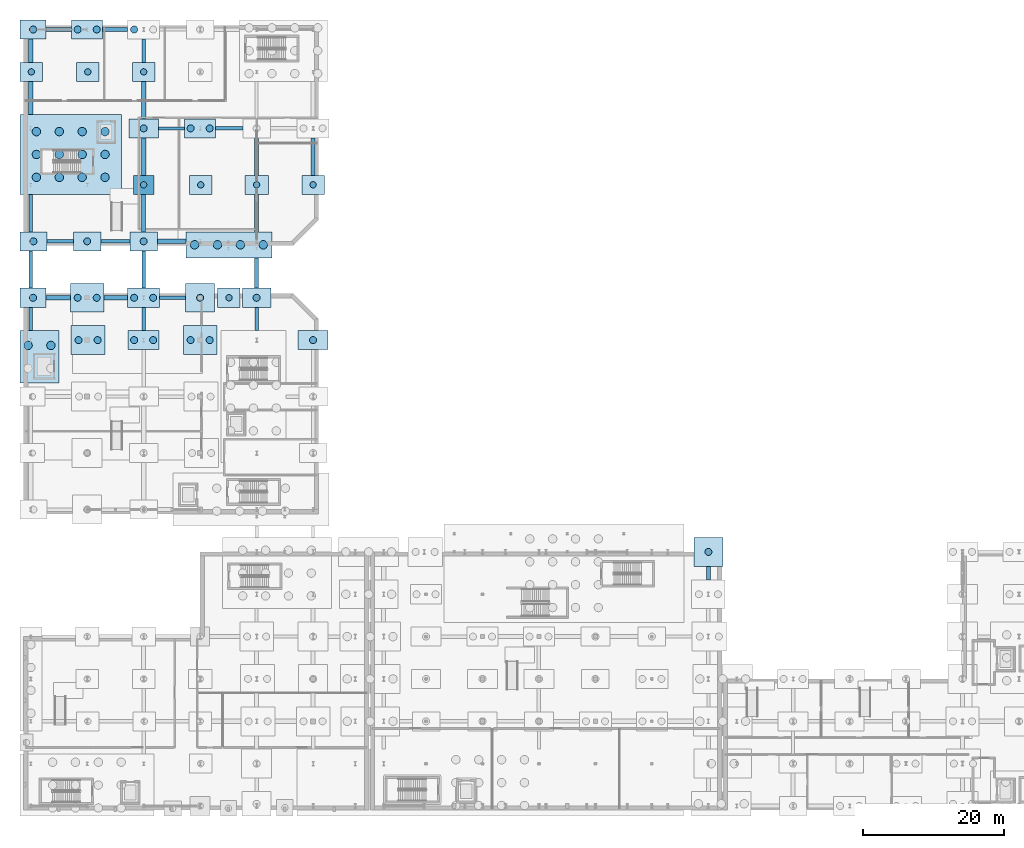
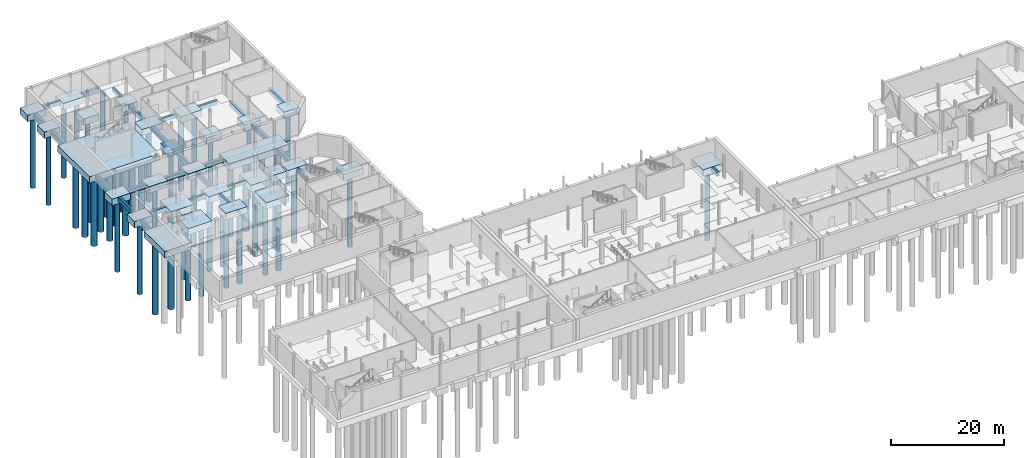
# One storey, part 4 of 47: 55 footings, 51 piles.
"""IFC4 building model written with IfcOpenShell, lengths in metres."""

from ifc_helpers import new_model, si_unit, direction, frame, origin, origin_2d, place, context, subcontext, project, spatial, rectangle, circle, extrude, material, layer, layer_set, material_profile, profile_set, type_object, element, save


model = new_model("IFC4")

# Units and contexts
model_context = context("Model", 3, precision=1e-05, world=origin(), true_north=direction((0.0, 1.0)))
body_context = subcontext(model_context, "Body", "Model", "MODEL_VIEW")
ifc_project = project(units=[si_unit("LENGTHUNIT", "METRE"), si_unit("AREAUNIT", "SQUARE_METRE"), si_unit("VOLUMEUNIT", "CUBIC_METRE"), si_unit("PLANEANGLEUNIT", "RADIAN"), si_unit("MASSUNIT", "GRAM", prefix="KILO")], contexts=[model_context])

# Site, building, storey
site_placement = place(None, origin())
site = spatial("IfcSite", under=ifc_project, at=site_placement, CompositionType="ELEMENT")
building_placement = place(site_placement, origin())
building = spatial("IfcBuilding", under=site, at=building_placement, Name="Cymarion Research Institute", CompositionType="ELEMENT")
storey_placement = place(building_placement, frame((0.0, 0.0, -5.0)))
storey = spatial("IfcBuildingStorey", under=building, at=storey_placement, Name="B1", CompositionType="ELEMENT", Elevation=-5.0)

# Piles
ifc_material = material(Name="Concrete C35/45", Category="concrete")
ifc_material_profile_1 = material_profile(ifc_material, circle(Radius=0.449951171875, at=origin_2d()), Name="BORED PILE D900")
ifc_profile_set_1 = profile_set([ifc_material_profile_1], Name="Concrete C35/45")
pile_type_1 = type_object("IfcPileType", Name="BORED CONCRETE PILE P1 D900", PredefinedType="BORED", material=ifc_profile_set_1)
for number, where, z_axis, x_axis, name in (
    (1, (6.68505859375, 109.5, -1.300048828125), (0.0, 0.0, -1.0), (1.0, 0.0, 0.0), "Bored pile P1 #6"),
    (2, (14.68505859375, 109.5, -1.300048828125), (0.0, 0.0, -1.0), (1.0, 0.0, 0.0), "Bored pile P1 #51"),
    (3, (22.60009765625, 93.5, -1.300048828125), (0.0, 0.0, -1.0), (1.0, 0.0, 0.0), "Bored pile P1 #66"),
    (4, (22.60009765625, 109.5, -1.300048828125), (0.0, 0.0, -1.0), (1.0, 0.0, 0.0), "Bored pile P1 #68"),
    (5, (30.68505859375, 93.5, -1.300048828125), (0.0, 0.0, -1.0), (1.0, 0.0, 0.0), "Bored pile P1 #85"),
    (6, (34.68505859375, 77.5, -1.300048828125), (0.0, 0.0, -1.0), (1.0, 0.0, 0.0), "Bored pile P1 #95"),
    (7, (38.60009765625, 93.5, -1.300048828125), (0.0, 0.0, -1.0), (1.0, 0.0, 0.0), "Bored pile P1 #121"),
    (8, (46.60009765625, 93.5, -1.300048828125), (0.0, 0.0, -1.0), (1.0, 0.0, 0.0), "Bored pile P1 #159"),
):
    element("IfcPile", number, at=place(storey_placement, frame(where, z_axis=z_axis, x_axis=x_axis)), inside=storey, type_object=pile_type_1, Name=name, PredefinedType="BORED", context=body_context, shape_type="SweptSolid", body=[
        extrude(circle(Radius=0.449951171875, at=origin_2d()), origin(), (0.0, 0.0, 1.0), 15.699951171875),
    ])
ifc_material_profile_2 = material_profile(ifc_material, circle(Radius=0.5, at=origin_2d()), Name="BORED PILE D1000")
ifc_profile_set_2 = profile_set([ifc_material_profile_2], Name="Concrete C35/45")
pile_type_2 = type_object("IfcPileType", Name="BORED CONCRETE PILE P2 D1000", PredefinedType="BORED", material=ifc_profile_set_2)
for number, where, z_axis, x_axis, name in (
    (9, (6.93505859375, 77.5, -1.300048828125), (0.0, 0.0, -1.0), (1.0, 0.0, 0.0), "Bored pile P2 #9"),
    (10, (6.93505859375, 115.5, -1.300048828125), (0.0, 0.0, -1.0), (1.0, 0.0, 0.0), "Bored pile P2 #10"),
    (11, (6.97509765625, 85.5, -1.300048828125), (0.0, 0.0, -1.0), (1.0, 0.0, 0.0), "Bored pile P2 #12"),
    (12, (13.25, 77.5, -1.300048828125), (0.0, 0.0, -1.0), (1.0, 0.0, 0.0), "Bored pile P2 #45"),
    (13, (15.949951171875, 77.5, -1.300048828125), (0.0, 0.0, -1.0), (1.0, 0.0, 0.0), "Bored pile P2 #46"),
    (14, (14.60009765625, 85.5, -1.300048828125), (0.0, 0.0, -1.0), (1.0, 0.0, 0.0), "Bored pile P2 #47"),
    (15, (13.25, 115.5, -1.300048828125), (0.0, 0.0, -1.0), (1.0, 0.0, 0.0), "Bored pile P2 #48"),
    (16, (15.949951171875, 115.5, -1.300048828125), (0.0, 0.0, -1.0), (1.0, 0.0, 0.0), "Bored pile P2 #49"),
    (17, (13.3798828125, 71.5, -1.300048828125), (0.0, 0.0, -1.0), (1.0, 0.0, 0.0), "Bored pile P2 #52"),
    (18, (16.080078125, 71.5, -1.300048828125), (0.0, 0.0, -1.0), (1.0, 0.0, 0.0), "Bored pile P2 #53"),
    (19, (21.25, 71.5, -1.300048828125), (0.0, 0.0, -1.0), (1.0, 0.0, 0.0), "Bored pile P2 #61"),
    (20, (23.949951171875, 71.5, -1.300048828125), (0.0, 0.0, -1.0), (1.0, 0.0, 0.0), "Bored pile P2 #62"),
    (21, (21.25, 77.5, -1.300048828125), (0.0, 0.0, -1.0), (1.0, 0.0, 0.0), "Bored pile P2 #63"),
    (22, (23.949951171875, 77.5, -1.300048828125), (0.0, 0.0, -1.0), (1.0, 0.0, 0.0), "Bored pile P2 #64"),
    (23, (22.60009765625, 85.5, -1.300048828125), (0.0, 0.0, -1.0), (1.0, 0.0, 0.0), "Bored pile P2 #65"),
    (24, (22.60009765625, 101.5, -1.300048828125), (0.0, 0.0, -1.0), (1.0, 0.0, 0.0), "Bored pile P2 #67"),
    (25, (21.25, 115.5, -1.300048828125), (0.0, 0.0, -1.0), (1.0, 0.0, 0.0), "Bored pile P2 #69"),
    (26, (29.25, 71.5, -1.300048828125), (0.0, 0.0, -1.0), (1.0, 0.0, 0.0), "Bored pile P2 #77"),
    (27, (31.949951171875, 71.5, -1.300048828125), (0.0, 0.0, -1.0), (1.0, 0.0, 0.0), "Bored pile P2 #78"),
    (28, (30.60009765625, 77.5, -1.300048828125), (0.0, 0.0, -1.0), (1.0, 0.0, 0.0), "Bored pile P2 #79"),
    (29, (29.25, 101.5, -1.300048828125), (0.0, 0.0, -1.0), (1.0, 0.0, 0.0), "Bored pile P2 #80"),
    (30, (31.949951171875, 101.5, -1.300048828125), (0.0, 0.0, -1.0), (1.0, 0.0, 0.0), "Bored pile P2 #81"),
    (31, (38.60009765625, 77.5, -1.300048828125), (0.0, 0.0, -1.0), (1.0, 0.0, 0.0), "Bored pile P2 #120"),
    (32, (46.60009765625, 71.5, -1.300048828125), (0.0, 0.0, -1.0), (1.0, 0.0, 0.0), "Bored pile P2 #158"),
    (33, (102.60009765625, 41.5, -1.300048828125), (0.0, 0.0, -1.0), (1.0, 0.0, 0.0), "Bored pile P2 #231"),
):
    element("IfcPile", number, at=place(storey_placement, frame(where, z_axis=z_axis, x_axis=x_axis)), inside=storey, type_object=pile_type_2, Name=name, PredefinedType="BORED", context=body_context, shape_type="SweptSolid", body=[
        extrude(circle(Radius=0.5, at=origin_2d()), origin(), (0.0, 0.0, 1.0), 15.699951171875),
    ])
ifc_material_profile_3 = material_profile(ifc_material, circle(Radius=0.60009765625, at=origin_2d()), Name="BORED PILE D1200")
ifc_profile_set_3 = profile_set([ifc_material_profile_3], Name="Concrete C35/45")
pile_type_3 = type_object("IfcPileType", Name="BORED CONCRETE PILE P3 D1200", PredefinedType="BORED", material=ifc_profile_set_3)
for number, where, z_axis, x_axis, name in (
    (34, (6.219970703125, 70.7451171875, -1.300048828125), (0.0, 0.0, -1.0), (1.0, 0.0, 0.0), "Bored pile P3 #14"),
    (35, (9.4599609375, 70.7451171875, -1.300048828125), (0.0, 0.0, -1.0), (1.0, 0.0, 0.0), "Bored pile P3 #16"),
    (36, (7.405029296875, 94.56005859375, -1.300048828125), (0.0, 0.0, -1.0), (1.0, 0.0, 0.0), "Bored pile P3 #17"),
    (37, (7.405029296875, 97.800048828125, -1.300048828125), (0.0, 0.0, -1.0), (1.0, 0.0, 0.0), "Bored pile P3 #18"),
    (38, (7.405029296875, 101.0400390625, -1.300048828125), (0.0, 0.0, -1.0), (1.0, 0.0, 0.0), "Bored pile P3 #19"),
    (39, (10.64501953125, 94.56005859375, -1.300048828125), (0.0, 0.0, -1.0), (1.0, 0.0, 0.0), "Bored pile P3 #20"),
    (40, (10.64501953125, 97.800048828125, -1.300048828125), (0.0, 0.0, -1.0), (1.0, 0.0, 0.0), "Bored pile P3 #21"),
    (41, (10.64501953125, 101.0400390625, -1.300048828125), (0.0, 0.0, -1.0), (1.0, 0.0, 0.0), "Bored pile P3 #22"),
    (42, (13.885009765625, 94.56005859375, -1.300048828125), (0.0, 0.0, -1.0), (1.0, 0.0, 0.0), "Bored pile P3 #23"),
    (43, (13.885009765625, 97.800048828125, -1.300048828125), (0.0, 0.0, -1.0), (1.0, 0.0, 0.0), "Bored pile P3 #24"),
    (44, (13.885009765625, 101.0400390625, -1.300048828125), (0.0, 0.0, -1.0), (1.0, 0.0, 0.0), "Bored pile P3 #25"),
    (45, (17.125, 94.56005859375, -1.300048828125), (0.0, 0.0, -1.0), (1.0, 0.0, 0.0), "Bored pile P3 #26"),
    (46, (17.125, 97.800048828125, -1.300048828125), (0.0, 0.0, -1.0), (1.0, 0.0, 0.0), "Bored pile P3 #27"),
    (47, (17.125, 101.0400390625, -1.300048828125), (0.0, 0.0, -1.0), (1.0, 0.0, 0.0), "Bored pile P3 #28"),
    (48, (29.820068359375, 85.0, -1.300048828125), (0.0, 0.0, -1.0), (1.0, 0.0, 0.0), "Bored pile P3 #91"),
    (49, (33.06005859375, 85.0, -1.300048828125), (0.0, 0.0, -1.0), (1.0, 0.0, 0.0), "Bored pile P3 #92"),
    (50, (36.300048828125, 85.0, -1.300048828125), (0.0, 0.0, -1.0), (1.0, 0.0, 0.0), "Bored pile P3 #93"),
    (51, (39.5400390625, 85.0, -1.300048828125), (0.0, 0.0, -1.0), (1.0, 0.0, 0.0), "Bored pile P3 #94"),
):
    element("IfcPile", number, at=place(storey_placement, frame(where, z_axis=z_axis, x_axis=x_axis)), inside=storey, type_object=pile_type_3, Name=name, PredefinedType="BORED", context=body_context, shape_type="SweptSolid", body=[
        extrude(circle(Radius=0.60009765625, at=origin_2d()), origin(), (0.0, 0.0, 1.0), 15.699951171875),
    ])

# Footings
footing_type_1 = type_object("IfcFootingType", Name="REINFORCED CONCRETE GROUND BEAM GB1 450X800", PredefinedType="FOOTING_BEAM", material=ifc_material)
footing_1_placement = place(storey_placement, frame((26.7099609375, 77.5, -0.7998046875), z_axis=(0.0, 0.0, 1.0), x_axis=(1.0, 0.0, 0.0)))
element("IfcFooting", 52, at=footing_1_placement, inside=storey, type_object=footing_type_1, Name="Seismic tie ground beam GB1 #48", PredefinedType="FOOTING_BEAM", context=body_context, shape_type="SweptSolid", body=[
    extrude(rectangle(XDim=3.679931640625, YDim=0.449951171875, at=origin_2d()), origin(), (0.0, 0.0, 1.0), 0.800048828125),
])
footing_2_placement = place(storey_placement, frame((26.56005859375, 101.5, -0.7998046875), z_axis=(0.0, 0.0, 1.0), x_axis=(1.0, 0.0, 0.0)))
element("IfcFooting", 53, at=footing_2_placement, inside=storey, type_object=footing_type_1, Name="Seismic tie ground beam GB1 #52", PredefinedType="FOOTING_BEAM", context=body_context, shape_type="SweptSolid", body=[
    extrude(rectangle(XDim=3.699951171875, YDim=0.449951171875, at=origin_2d()), origin(), (0.0, 0.0, 1.0), 0.800048828125),
])
footing_3_placement = place(storey_placement, frame((22.60009765625, 112.5, -0.7998046875), z_axis=(0.0, 0.0, 1.0), x_axis=(0.0, 1.0, 0.0)))
element("IfcFooting", 54, at=footing_3_placement, inside=storey, type_object=footing_type_1, Name="Seismic tie ground beam GB1 #77", PredefinedType="FOOTING_BEAM", context=body_context, shape_type="SweptSolid", body=[
    extrude(rectangle(XDim=3.300048828125, YDim=0.449951171875, at=origin_2d()), origin(), (0.0, 0.0, 1.0), 0.800048828125),
])
footing_type_2 = type_object("IfcFootingType", Name="REINFORCED CONCRETE GROUND BEAM GB2 500X850", PredefinedType="FOOTING_BEAM", material=ifc_material)
footing_4_placement = place(storey_placement, frame((34.719970703125, 101.5, -0.85009765625), z_axis=(0.0, 0.0, 1.0), x_axis=(1.0, 0.0, 0.0)))
element("IfcFooting", 55, at=footing_4_placement, inside=storey, type_object=footing_type_2, Name="Seismic tie ground beam GB2 #53", PredefinedType="FOOTING_BEAM", context=body_context, shape_type="SweptSolid", body=[
    extrude(rectangle(XDim=3.860107421875, YDim=0.5, at=origin_2d()), origin(), (0.0, 0.0, 1.0), 0.85009765625),
])
for number, where, z_axis, x_axis, name in (
    (56, (6.60009765625, 74.5, -0.85009765625), (0.0, 0.0, 1.0), (0.0, 1.0, 0.0), "Seismic tie ground beam GB2 #61"),
    (57, (22.60009765625, 74.5, -0.85009765625), (0.0, 0.0, 1.0), (0.0, 1.0, 0.0), "Seismic tie ground beam GB2 #72"),
):
    element("IfcFooting", number, at=place(storey_placement, frame(where, z_axis=z_axis, x_axis=x_axis)), inside=storey, type_object=footing_type_2, Name=name, PredefinedType="FOOTING_BEAM", context=body_context, shape_type="SweptSolid", body=[
        extrude(rectangle(XDim=3.300048828125, YDim=0.5, at=origin_2d()), origin(), (0.0, 0.0, 1.0), 0.85009765625),
    ])
footing_type_3 = type_object("IfcFootingType", Name="REINFORCED CONCRETE GROUND BEAM GB3 500X950", PredefinedType="FOOTING_BEAM", material=ifc_material)
footing_5_placement = place(storey_placement, frame((10.760009765625, 85.5, -0.9501953125), z_axis=(0.0, 0.0, 1.0), x_axis=(1.0, 0.0, 0.0)))
element("IfcFooting", 58, at=footing_5_placement, inside=storey, type_object=footing_type_3, Name="Seismic tie ground beam GB3 #49", PredefinedType="FOOTING_BEAM", context=body_context, shape_type="SweptSolid", body=[
    extrude(rectangle(XDim=3.780029296875, YDim=0.5, at=origin_2d()), origin(), (0.0, 0.0, 1.0), 0.949951171875),
])
for number, where, z_axis, x_axis, name in (
    (59, (6.60009765625, 81.5, -0.9501953125), (0.0, 0.0, 1.0), (0.0, 1.0, 0.0), "Seismic tie ground beam GB3 #62"),
    (60, (22.60009765625, 81.5, -0.9501953125), (0.0, 0.0, 1.0), (0.0, 1.0, 0.0), "Seismic tie ground beam GB3 #73"),
):
    element("IfcFooting", number, at=place(storey_placement, frame(where, z_axis=z_axis, x_axis=x_axis)), inside=storey, type_object=footing_type_3, Name=name, PredefinedType="FOOTING_BEAM", context=body_context, shape_type="SweptSolid", body=[
        extrude(rectangle(XDim=5.300048828125, YDim=0.5, at=origin_2d()), origin(), (0.0, 0.0, 1.0), 0.949951171875),
    ])
footing_6_placement = place(storey_placement, frame((38.60009765625, 74.5, -0.9501953125), z_axis=(0.0, 0.0, 1.0), x_axis=(0.0, 1.0, 0.0)))
element("IfcFooting", 61, at=footing_6_placement, inside=storey, type_object=footing_type_3, Name="Seismic tie ground beam GB3 #84", PredefinedType="FOOTING_BEAM", context=body_context, shape_type="SweptSolid", body=[
    extrude(rectangle(XDim=3.300048828125, YDim=0.5, at=origin_2d()), origin(), (0.0, 0.0, 1.0), 0.949951171875),
])
footing_type_4 = type_object("IfcFootingType", Name="REINFORCED CONCRETE GROUND BEAM GB4 550X900", PredefinedType="FOOTING_BEAM", material=ifc_material)
footing_7_placement = place(storey_placement, frame((18.60009765625, 85.5, -0.89990234375), z_axis=(0.0, 0.0, 1.0), x_axis=(1.0, 0.0, 0.0)))
element("IfcFooting", 62, at=footing_7_placement, inside=storey, type_object=footing_type_4, Name="Seismic tie ground beam GB4 #50", PredefinedType="FOOTING_BEAM", context=body_context, shape_type="SweptSolid", body=[
    extrude(rectangle(XDim=4.10009765625, YDim=0.550048828125, at=origin_2d()), origin(), (0.0, 0.0, 1.0), 0.89990234375),
])
for number, where, z_axis, x_axis, name in (
    (63, (6.60009765625, 89.5, -0.89990234375), (0.0, 0.0, 1.0), (0.0, 1.0, 0.0), "Seismic tie ground beam GB4 #63"),
    (64, (22.60009765625, 89.5, -0.89990234375), (0.0, 0.0, 1.0), (0.0, 1.0, 0.0), "Seismic tie ground beam GB4 #74"),
):
    element("IfcFooting", number, at=place(storey_placement, frame(where, z_axis=z_axis, x_axis=x_axis)), inside=storey, type_object=footing_type_4, Name=name, PredefinedType="FOOTING_BEAM", context=body_context, shape_type="SweptSolid", body=[
        extrude(rectangle(XDim=5.300048828125, YDim=0.550048828125, at=origin_2d()), origin(), (0.0, 0.0, 1.0), 0.89990234375),
    ])
footing_8_placement = place(storey_placement, frame((38.60009765625, 81.0, -0.89990234375), z_axis=(0.0, 0.0, 1.0), x_axis=(0.0, 1.0, 0.0)))
element("IfcFooting", 65, at=footing_8_placement, inside=storey, type_object=footing_type_4, Name="Seismic tie ground beam GB4 #85", PredefinedType="FOOTING_BEAM", context=body_context, shape_type="SweptSolid", body=[
    extrude(rectangle(XDim=4.300048828125, YDim=0.550048828125, at=origin_2d()), origin(), (0.0, 0.0, 1.0), 0.89990234375),
])
footing_9_placement = place(storey_placement, frame((46.60009765625, 97.5, -0.89990234375), z_axis=(0.0, 0.0, 1.0), x_axis=(0.0, 1.0, 0.0)))
element("IfcFooting", 66, at=footing_9_placement, inside=storey, type_object=footing_type_4, Name="Seismic tie ground beam GB4 #96", PredefinedType="FOOTING_BEAM", context=body_context, shape_type="SweptSolid", body=[
    extrude(rectangle(XDim=5.300048828125, YDim=0.550048828125, at=origin_2d()), origin(), (0.0, 0.0, 1.0), 0.89990234375),
])
footing_10_placement = place(storey_placement, frame((102.60009765625, 38.5, -0.89990234375), z_axis=(0.0, 0.0, 1.0), x_axis=(0.0, 1.0, 0.0)))
element("IfcFooting", 67, at=footing_10_placement, inside=storey, type_object=footing_type_4, Name="Seismic tie ground beam GB4 #111", PredefinedType="FOOTING_BEAM", context=body_context, shape_type="SweptSolid", body=[
    extrude(rectangle(XDim=1.89990234375, YDim=0.550048828125, at=origin_2d()), origin(), (0.0, 0.0, 1.0), 0.89990234375),
])
footing_type_5 = type_object("IfcFootingType", Name="REINFORCED CONCRETE GROUND BEAM GB5 600X900", PredefinedType="FOOTING_BEAM", material=ifc_material)
footing_11_placement = place(storey_placement, frame((10.510009765625, 77.5, -0.89990234375), z_axis=(0.0, 0.0, 1.0), x_axis=(1.0, 0.0, 0.0)))
element("IfcFooting", 68, at=footing_11_placement, inside=storey, type_object=footing_type_5, Name="Seismic tie ground beam GB5 #46", PredefinedType="FOOTING_BEAM", context=body_context, shape_type="SweptSolid", body=[
    extrude(rectangle(XDim=3.43994140625, YDim=0.60009765625, at=origin_2d()), origin(), (0.0, 0.0, 1.0), 0.89990234375),
])
footing_12_placement = place(storey_placement, frame((26.56005859375, 85.5, -0.89990234375), z_axis=(0.0, 0.0, 1.0), x_axis=(1.0, 0.0, 0.0)))
element("IfcFooting", 69, at=footing_12_placement, inside=storey, type_object=footing_type_5, Name="Seismic tie ground beam GB5 #51", PredefinedType="FOOTING_BEAM", context=body_context, shape_type="SweptSolid", body=[
    extrude(rectangle(XDim=4.02001953125, YDim=0.60009765625, at=origin_2d()), origin(), (0.0, 0.0, 1.0), 0.89990234375),
])
footing_13_placement = place(storey_placement, frame((10.60009765625, 115.5, -0.89990234375), z_axis=(0.0, 0.0, 1.0), x_axis=(1.0, 0.0, 0.0)))
element("IfcFooting", 70, at=footing_13_placement, inside=storey, type_object=footing_type_5, Name="Seismic tie ground beam GB5 #55", PredefinedType="FOOTING_BEAM", context=body_context, shape_type="SweptSolid", body=[
    extrude(rectangle(XDim=3.6201171875, YDim=0.60009765625, at=origin_2d()), origin(), (0.0, 0.0, 1.0), 0.89990234375),
])
footing_14_placement = place(storey_placement, frame((6.60009765625, 105.800048828125, -0.89990234375), z_axis=(0.0, 0.0, 1.0), x_axis=(0.0, 1.0, 0.0)))
element("IfcFooting", 71, at=footing_14_placement, inside=storey, type_object=footing_type_5, Name="Seismic tie ground beam GB5 #64", PredefinedType="FOOTING_BEAM", context=body_context, shape_type="SweptSolid", body=[
    extrude(rectangle(XDim=4.699951171875, YDim=0.60009765625, at=origin_2d()), origin(), (0.0, 0.0, 1.0), 0.89990234375),
])
for number, where, z_axis, x_axis, name in (
    (72, (22.60009765625, 97.5, -0.89990234375), (0.0, 0.0, 1.0), (0.0, 1.0, 0.0), "Seismic tie ground beam GB5 #75"),
    (73, (38.60009765625, 89.5, -0.89990234375), (0.0, 0.0, 1.0), (0.0, 1.0, 0.0), "Seismic tie ground beam GB5 #86"),
):
    element("IfcFooting", number, at=place(storey_placement, frame(where, z_axis=z_axis, x_axis=x_axis)), inside=storey, type_object=footing_type_5, Name=name, PredefinedType="FOOTING_BEAM", context=body_context, shape_type="SweptSolid", body=[
        extrude(rectangle(XDim=5.300048828125, YDim=0.60009765625, at=origin_2d()), origin(), (0.0, 0.0, 1.0), 0.89990234375),
    ])
footing_type_6 = type_object("IfcFootingType", Name="REINFORCED CONCRETE GROUND BEAM GB6 600X1050", PredefinedType="FOOTING_BEAM", material=ifc_material)
footing_15_placement = place(storey_placement, frame((18.64990234375, 77.5, -1.0498046875), z_axis=(0.0, 0.0, 1.0), x_axis=(1.0, 0.0, 0.0)))
element("IfcFooting", 74, at=footing_15_placement, inside=storey, type_object=footing_type_6, Name="Seismic tie ground beam GB6 #47", PredefinedType="FOOTING_BEAM", context=body_context, shape_type="SweptSolid", body=[
    extrude(rectangle(XDim=3.360107421875, YDim=0.60009765625, at=origin_2d()), origin(), (0.0, 0.0, 1.0), 1.050048828125),
])
footing_16_placement = place(storey_placement, frame((18.56005859375, 115.5, -1.0498046875), z_axis=(0.0, 0.0, 1.0), x_axis=(1.0, 0.0, 0.0)))
element("IfcFooting", 75, at=footing_16_placement, inside=storey, type_object=footing_type_6, Name="Seismic tie ground beam GB6 #56", PredefinedType="FOOTING_BEAM", context=body_context, shape_type="SweptSolid", body=[
    extrude(rectangle(XDim=3.5400390625, YDim=0.60009765625, at=origin_2d()), origin(), (0.0, 0.0, 1.0), 1.050048828125),
])
footing_17_placement = place(storey_placement, frame((6.60009765625, 112.5, -1.0498046875), z_axis=(0.0, 0.0, 1.0), x_axis=(0.0, 1.0, 0.0)))
element("IfcFooting", 76, at=footing_17_placement, inside=storey, type_object=footing_type_6, Name="Seismic tie ground beam GB6 #65", PredefinedType="FOOTING_BEAM", context=body_context, shape_type="SweptSolid", body=[
    extrude(rectangle(XDim=3.300048828125, YDim=0.60009765625, at=origin_2d()), origin(), (0.0, 0.0, 1.0), 1.050048828125),
])
for number, where, z_axis, x_axis, name in (
    (77, (22.60009765625, 105.5, -1.0498046875), (0.0, 0.0, 1.0), (0.0, 1.0, 0.0), "Seismic tie ground beam GB6 #76"),
    (78, (38.60009765625, 97.5, -1.0498046875), (0.0, 0.0, 1.0), (0.0, 1.0, 0.0), "Seismic tie ground beam GB6 #87"),
):
    element("IfcFooting", number, at=place(storey_placement, frame(where, z_axis=z_axis, x_axis=x_axis)), inside=storey, type_object=footing_type_6, Name=name, PredefinedType="FOOTING_BEAM", context=body_context, shape_type="SweptSolid", body=[
        extrude(rectangle(XDim=5.300048828125, YDim=0.60009765625, at=origin_2d()), origin(), (0.0, 0.0, 1.0), 1.050048828125),
    ])
ifc_layer_1 = layer(ifc_material, 1.39990234375)
ifc_layer_set_1 = layer_set([ifc_layer_1], Name="Concrete C35/45")
footing_type_7 = type_object("IfcFootingType", Name="REINFORCED CONCRETE PILE CAP PC03 3190X2700X1400", PredefinedType="PILE_CAP", material=ifc_layer_set_1)
for number, where, z_axis, x_axis, name in (
    (79, (6.68505859375, 109.5, -1.39990234375), (0.0, 0.0, 1.0), (1.0, 0.0, 0.0), "Pile cap PC03 #3"),
    (80, (14.68505859375, 109.5, -1.39990234375), (0.0, 0.0, 1.0), (1.0, 0.0, 0.0), "Pile cap PC03 #21"),
    (81, (30.68505859375, 93.5, -1.39990234375), (0.0, 0.0, 1.0), (1.0, 0.0, 0.0), "Pile cap PC03 #48"),
    (82, (34.68505859375, 77.5, -1.39990234375), (0.0, 0.0, 1.0), (1.0, 0.0, 0.0), "Pile cap PC03 #53"),
):
    element("IfcFooting", number, at=place(storey_placement, frame(where, z_axis=z_axis, x_axis=x_axis)), inside=storey, type_object=footing_type_7, Name=name, PredefinedType="PILE_CAP", context=body_context, shape_type="SweptSolid", body=[
        extrude(rectangle(XDim=3.18994140625, YDim=2.699951171875, at=origin_2d()), origin(), (0.0, 0.0, 1.0), 1.39990234375),
    ])
ifc_layer_2 = layer(ifc_material, 1.39990234375)
ifc_layer_set_2 = layer_set([ifc_layer_2], Name="Concrete C35/45")
footing_type_8 = type_object("IfcFootingType", Name="REINFORCED CONCRETE PILE CAP PC06 3710X2700X1400", PredefinedType="PILE_CAP", material=ifc_layer_set_2)
for number, where, z_axis, x_axis, name in (
    (83, (6.93505859375, 77.5, -1.39990234375), (0.0, 0.0, 1.0), (1.0, 0.0, 0.0), "Pile cap PC06 #6"),
    (84, (6.93505859375, 115.5, -1.39990234375), (0.0, 0.0, 1.0), (1.0, 0.0, 0.0), "Pile cap PC06 #7"),
):
    element("IfcFooting", number, at=place(storey_placement, frame(where, z_axis=z_axis, x_axis=x_axis)), inside=storey, type_object=footing_type_8, Name=name, PredefinedType="PILE_CAP", context=body_context, shape_type="SweptSolid", body=[
        extrude(rectangle(XDim=3.7099609375, YDim=2.699951171875, at=origin_2d()), origin(), (0.0, 0.0, 1.0), 1.39990234375),
    ])
ifc_layer_3 = layer(ifc_material, 1.39990234375)
ifc_layer_set_3 = layer_set([ifc_layer_3], Name="Concrete C35/45")
footing_type_9 = type_object("IfcFootingType", Name="REINFORCED CONCRETE PILE CAP PC07 3790X2700X1400", PredefinedType="PILE_CAP", material=ifc_layer_set_3)
footing_18_placement = place(storey_placement, frame((6.97509765625, 85.5, -1.39990234375), z_axis=(0.0, 0.0, 1.0), x_axis=(1.0, 0.0, 0.0)))
element("IfcFooting", 85, at=footing_18_placement, inside=storey, type_object=footing_type_9, Name="Pile cap PC07 #9", PredefinedType="PILE_CAP", context=body_context, shape_type="SweptSolid", body=[
    extrude(rectangle(XDim=3.7900390625, YDim=2.699951171875, at=origin_2d()), origin(), (0.0, 0.0, 1.0), 1.39990234375),
])
ifc_layer_4 = layer(ifc_material, 1.39990234375)
ifc_layer_set_4 = layer_set([ifc_layer_4], Name="Concrete C35/45")
footing_type_10 = type_object("IfcFootingType", Name="REINFORCED CONCRETE PILE CAP PC08 5520X7450X1400", PredefinedType="PILE_CAP", material=ifc_layer_set_4)
footing_19_placement = place(storey_placement, frame((7.840087890625, 69.125, -1.39990234375), z_axis=(0.0, 0.0, 1.0), x_axis=(1.0, 0.0, 0.0)))
element("IfcFooting", 86, at=footing_19_placement, inside=storey, type_object=footing_type_10, Name="Pile cap PC08 #10", PredefinedType="PILE_CAP", context=body_context, shape_type="SweptSolid", body=[
    extrude(rectangle(XDim=5.52001953125, YDim=7.449951171875, at=origin_2d()), origin(), (0.0, 0.0, 1.0), 1.39990234375),
])
ifc_layer_5 = layer(ifc_material, 1.39990234375)
ifc_layer_set_5 = layer_set([ifc_layer_5], Name="Concrete C35/45")
footing_type_11 = type_object("IfcFootingType", Name="REINFORCED CONCRETE PILE CAP PC09 14370X11300X1400", PredefinedType="PILE_CAP", material=ifc_layer_set_5)
footing_20_placement = place(storey_placement, frame((12.264892578125, 97.800048828125, -1.39990234375), z_axis=(0.0, 0.0, 1.0), x_axis=(1.0, 0.0, 0.0)))
element("IfcFooting", 87, at=footing_20_placement, inside=storey, type_object=footing_type_11, Name="Pile cap PC09 #11", PredefinedType="PILE_CAP", context=body_context, shape_type="SweptSolid", body=[
    extrude(rectangle(XDim=14.3701171875, YDim=11.300048828125, at=origin_2d()), origin(), (0.0, 0.0, 1.0), 1.39990234375),
])
ifc_layer_6 = layer(ifc_material, 1.39990234375)
ifc_layer_set_6 = layer_set([ifc_layer_6], Name="Concrete C35/45")
footing_type_12 = type_object("IfcFootingType", Name="REINFORCED CONCRETE PILE CAP PC11 3180X2700X1400", PredefinedType="PILE_CAP", material=ifc_layer_set_6)
for number, where, z_axis, x_axis, name in (
    (88, (22.60009765625, 109.5, -1.39990234375), (0.0, 0.0, 1.0), (1.0, 0.0, 0.0), "Pile cap PC11 #34"),
    (89, (46.60009765625, 93.5, -1.39990234375), (0.0, 0.0, 1.0), (1.0, 0.0, 0.0), "Pile cap PC11 #73"),
):
    element("IfcFooting", number, at=place(storey_placement, frame(where, z_axis=z_axis, x_axis=x_axis)), inside=storey, type_object=footing_type_12, Name=name, PredefinedType="PILE_CAP", context=body_context, shape_type="SweptSolid", body=[
        extrude(rectangle(XDim=3.179931640625, YDim=2.699951171875, at=origin_2d()), origin(), (0.0, 0.0, 1.0), 1.39990234375),
    ])
ifc_layer_7 = layer(ifc_material, 1.39990234375)
ifc_layer_set_7 = layer_set([ifc_layer_7], Name="Concrete C35/45")
footing_type_13 = type_object("IfcFootingType", Name="REINFORCED CONCRETE PILE CAP PC12 3340X2700X1400", PredefinedType="PILE_CAP", material=ifc_layer_set_7)
footing_21_placement = place(storey_placement, frame((38.60009765625, 93.5, -1.39990234375), z_axis=(0.0, 0.0, 1.0), x_axis=(1.0, 0.0, 0.0)))
element("IfcFooting", 90, at=footing_21_placement, inside=storey, type_object=footing_type_13, Name="Pile cap PC12 #60", PredefinedType="PILE_CAP", context=body_context, shape_type="SweptSolid", body=[
    extrude(rectangle(XDim=3.340087890625, YDim=2.699951171875, at=origin_2d()), origin(), (0.0, 0.0, 1.0), 1.39990234375),
])
ifc_layer_8 = layer(ifc_material, 1.39990234375)
ifc_layer_set_8 = layer_set([ifc_layer_8], Name="Concrete C35/45")
footing_type_14 = type_object("IfcFootingType", Name="REINFORCED CONCRETE PILE CAP PC13 4100X4100X1400", PredefinedType="PILE_CAP", material=ifc_layer_set_8)
for number, where, z_axis, x_axis, name in (
    (91, (30.60009765625, 77.5, -1.39990234375), (0.0, 0.0, 1.0), (1.0, 0.0, 0.0), "Pile cap PC13 #43"),
    (92, (102.60009765625, 41.5, -1.39990234375), (0.0, 0.0, 1.0), (1.0, 0.0, 0.0), "Pile cap PC13 #100"),
):
    element("IfcFooting", number, at=place(storey_placement, frame(where, z_axis=z_axis, x_axis=x_axis)), inside=storey, type_object=footing_type_14, Name=name, PredefinedType="PILE_CAP", context=body_context, shape_type="SweptSolid", body=[
        extrude(rectangle(XDim=4.10009765625, YDim=4.10009765625, at=origin_2d()), origin(), (0.0, 0.0, 1.0), 1.39990234375),
    ])
ifc_layer_9 = layer(ifc_material, 1.39990234375)
ifc_layer_set_9 = layer_set([ifc_layer_9], Name="Concrete C35/45")
footing_type_15 = type_object("IfcFootingType", Name="REINFORCED CONCRETE PILE CAP PC15 4740X4100X1400", PredefinedType="PILE_CAP", material=ifc_layer_set_9)
for number, where, z_axis, x_axis, name in (
    (93, (14.60009765625, 77.5, -1.39990234375), (0.0, 0.0, 1.0), (1.0, 0.0, 0.0), "Pile cap PC15 #17"),
    (94, (30.60009765625, 71.5, -1.39990234375), (0.0, 0.0, 1.0), (1.0, 0.0, 0.0), "Pile cap PC15 #42"),
):
    element("IfcFooting", number, at=place(storey_placement, frame(where, z_axis=z_axis, x_axis=x_axis)), inside=storey, type_object=footing_type_15, Name=name, PredefinedType="PILE_CAP", context=body_context, shape_type="SweptSolid", body=[
        extrude(rectangle(XDim=4.739990234375, YDim=4.10009765625, at=origin_2d()), origin(), (0.0, 0.0, 1.0), 1.39990234375),
    ])
ifc_layer_10 = layer(ifc_material, 1.39990234375)
ifc_layer_set_10 = layer_set([ifc_layer_10], Name="Concrete C35/45")
footing_type_16 = type_object("IfcFootingType", Name="REINFORCED CONCRETE PILE CAP PC16 3900X2700X1400", PredefinedType="PILE_CAP", material=ifc_layer_set_10)
for number, where, z_axis, x_axis, name in (
    (95, (14.60009765625, 85.5, -1.39990234375), (0.0, 0.0, 1.0), (1.0, 0.0, 0.0), "Pile cap PC16 #18"),
    (96, (22.60009765625, 85.5, -1.39990234375), (0.0, 0.0, 1.0), (1.0, 0.0, 0.0), "Pile cap PC16 #31"),
):
    element("IfcFooting", number, at=place(storey_placement, frame(where, z_axis=z_axis, x_axis=x_axis)), inside=storey, type_object=footing_type_16, Name=name, PredefinedType="PILE_CAP", context=body_context, shape_type="SweptSolid", body=[
        extrude(rectangle(XDim=3.89990234375, YDim=2.699951171875, at=origin_2d()), origin(), (0.0, 0.0, 1.0), 1.39990234375),
    ])
ifc_layer_11 = layer(ifc_material, 1.39990234375)
ifc_layer_set_11 = layer_set([ifc_layer_11], Name="Concrete C35/45")
footing_type_17 = type_object("IfcFootingType", Name="REINFORCED CONCRETE PILE CAP PC17 4380X2700X1400", PredefinedType="PILE_CAP", material=ifc_layer_set_11)
for number, where, z_axis, x_axis, name in (
    (97, (14.60009765625, 115.5, -1.39990234375), (0.0, 0.0, 1.0), (1.0, 0.0, 0.0), "Pile cap PC17 #19"),
    (98, (22.60009765625, 71.5, -1.39990234375), (0.0, 0.0, 1.0), (1.0, 0.0, 0.0), "Pile cap PC17 #29"),
    (99, (30.60009765625, 101.5, -1.39990234375), (0.0, 0.0, 1.0), (1.0, 0.0, 0.0), "Pile cap PC17 #44"),
):
    element("IfcFooting", number, at=place(storey_placement, frame(where, z_axis=z_axis, x_axis=x_axis)), inside=storey, type_object=footing_type_17, Name=name, PredefinedType="PILE_CAP", context=body_context, shape_type="SweptSolid", body=[
        extrude(rectangle(XDim=4.3798828125, YDim=2.699951171875, at=origin_2d()), origin(), (0.0, 0.0, 1.0), 1.39990234375),
    ])
ifc_layer_12 = layer(ifc_material, 1.39990234375)
ifc_layer_set_12 = layer_set([ifc_layer_12], Name="Concrete C35/45")
footing_type_18 = type_object("IfcFootingType", Name="REINFORCED CONCRETE PILE CAP PC18 4840X4100X1400", PredefinedType="PILE_CAP", material=ifc_layer_set_12)
footing_22_placement = place(storey_placement, frame((14.72998046875, 71.5, -1.39990234375), z_axis=(0.0, 0.0, 1.0), x_axis=(1.0, 0.0, 0.0)))
element("IfcFooting", 100, at=footing_22_placement, inside=storey, type_object=footing_type_18, Name="Pile cap PC18 #22", PredefinedType="PILE_CAP", context=body_context, shape_type="SweptSolid", body=[
    extrude(rectangle(XDim=4.840087890625, YDim=4.10009765625, at=origin_2d()), origin(), (0.0, 0.0, 1.0), 1.39990234375),
])
ifc_layer_13 = layer(ifc_material, 1.39990234375)
ifc_layer_set_13 = layer_set([ifc_layer_13], Name="Concrete C35/45")
footing_type_19 = type_object("IfcFootingType", Name="REINFORCED CONCRETE PILE CAP PC19 4060X2700X1400", PredefinedType="PILE_CAP", material=ifc_layer_set_13)
footing_23_placement = place(storey_placement, frame((38.60009765625, 77.5, -1.39990234375), z_axis=(0.0, 0.0, 1.0), x_axis=(1.0, 0.0, 0.0)))
element("IfcFooting", 101, at=footing_23_placement, inside=storey, type_object=footing_type_19, Name="Pile cap PC19 #59", PredefinedType="PILE_CAP", context=body_context, shape_type="SweptSolid", body=[
    extrude(rectangle(XDim=4.06005859375, YDim=2.699951171875, at=origin_2d()), origin(), (0.0, 0.0, 1.0), 1.39990234375),
])
ifc_layer_14 = layer(ifc_material, 1.39990234375)
ifc_layer_set_14 = layer_set([ifc_layer_14], Name="Concrete C35/45")
footing_type_20 = type_object("IfcFootingType", Name="REINFORCED CONCRETE PILE CAP PC20 4220X2700X1400", PredefinedType="PILE_CAP", material=ifc_layer_set_14)
for number, where, z_axis, x_axis, name in (
    (102, (22.60009765625, 101.5, -1.39990234375), (0.0, 0.0, 1.0), (1.0, 0.0, 0.0), "Pile cap PC20 #33"),
    (103, (46.60009765625, 71.5, -1.39990234375), (0.0, 0.0, 1.0), (1.0, 0.0, 0.0), "Pile cap PC20 #72"),
):
    element("IfcFooting", number, at=place(storey_placement, frame(where, z_axis=z_axis, x_axis=x_axis)), inside=storey, type_object=footing_type_20, Name=name, PredefinedType="PILE_CAP", context=body_context, shape_type="SweptSolid", body=[
        extrude(rectangle(XDim=4.219970703125, YDim=2.699951171875, at=origin_2d()), origin(), (0.0, 0.0, 1.0), 1.39990234375),
    ])
ifc_layer_15 = layer(ifc_material, 1.39990234375)
ifc_layer_set_15 = layer_set([ifc_layer_15], Name="Concrete C35/45")
footing_type_21 = type_object("IfcFootingType", Name="REINFORCED CONCRETE PILE CAP PC21 4540X2700X1400", PredefinedType="PILE_CAP", material=ifc_layer_set_15)
footing_24_placement = place(storey_placement, frame((22.60009765625, 77.5, -1.39990234375), z_axis=(0.0, 0.0, 1.0), x_axis=(1.0, 0.0, 0.0)))
element("IfcFooting", 104, at=footing_24_placement, inside=storey, type_object=footing_type_21, Name="Pile cap PC21 #30", PredefinedType="PILE_CAP", context=body_context, shape_type="SweptSolid", body=[
    extrude(rectangle(XDim=4.5400390625, YDim=2.699951171875, at=origin_2d()), origin(), (0.0, 0.0, 1.0), 1.39990234375),
])
ifc_layer_16 = layer(ifc_material, 1.39990234375)
ifc_layer_set_16 = layer_set([ifc_layer_16], Name="Concrete C35/45")
footing_type_22 = type_object("IfcFootingType", Name="REINFORCED CONCRETE PILE CAP PC22 2860X2700X1400", PredefinedType="PILE_CAP", material=ifc_layer_set_16)
footing_25_placement = place(storey_placement, frame((22.60009765625, 93.5, -1.39990234375), z_axis=(0.0, 0.0, 1.0), x_axis=(1.0, 0.0, 0.0)))
element("IfcFooting", 105, at=footing_25_placement, inside=storey, type_object=footing_type_22, Name="Pile cap PC22 #32", PredefinedType="PILE_CAP", context=body_context, shape_type="SweptSolid", body=[
    extrude(rectangle(XDim=2.860107421875, YDim=2.699951171875, at=origin_2d()), origin(), (0.0, 0.0, 1.0), 1.39990234375),
])
ifc_layer_17 = layer(ifc_material, 1.39990234375)
ifc_layer_set_17 = layer_set([ifc_layer_17], Name="Concrete C35/45")
footing_type_23 = type_object("IfcFootingType", Name="REINFORCED CONCRETE PILE CAP PC26 12220X3700X1400", PredefinedType="PILE_CAP", material=ifc_layer_set_17)
footing_26_placement = place(storey_placement, frame((34.679931640625, 85.0, -1.39990234375), z_axis=(0.0, 0.0, 1.0), x_axis=(1.0, 0.0, 0.0)))
element("IfcFooting", 106, at=footing_26_placement, inside=storey, type_object=footing_type_23, Name="Pile cap PC26 #52", PredefinedType="PILE_CAP", context=body_context, shape_type="SweptSolid", body=[
    extrude(rectangle(XDim=12.219970703125, YDim=3.699951171875, at=origin_2d()), origin(), (0.0, 0.0, 1.0), 1.39990234375),
])

save(model, "model.ifc")
